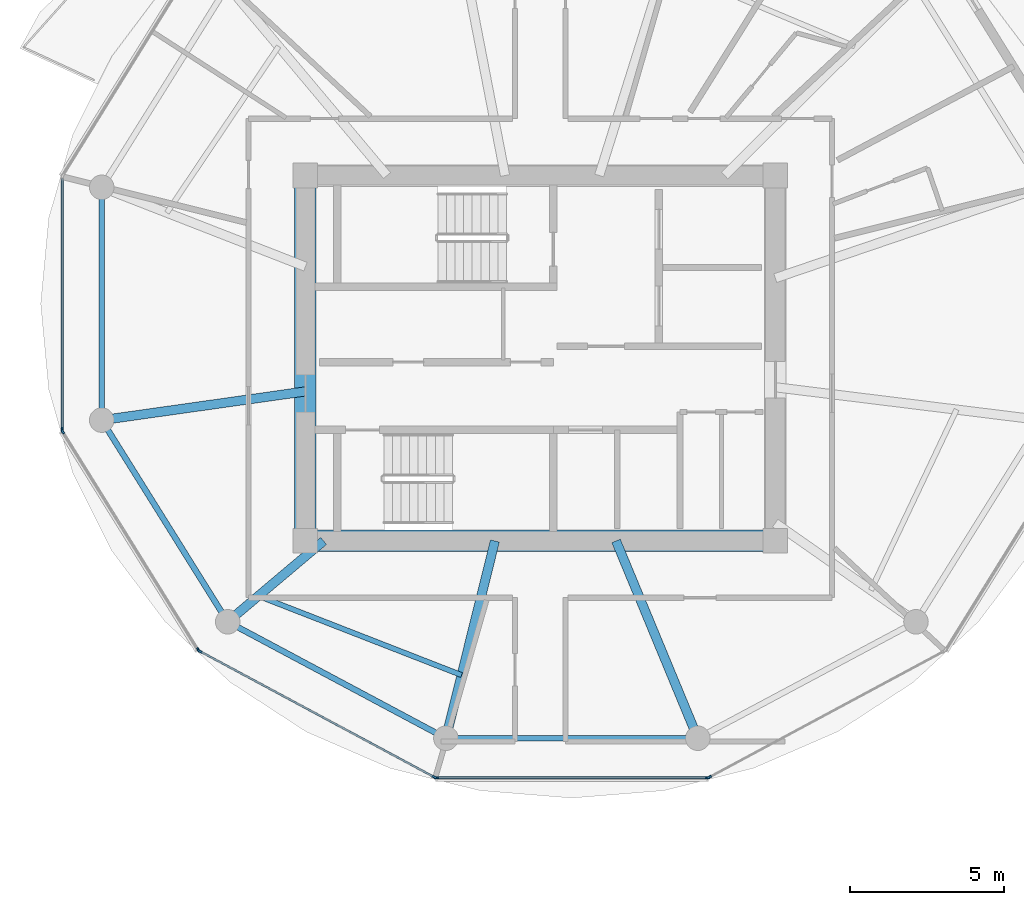
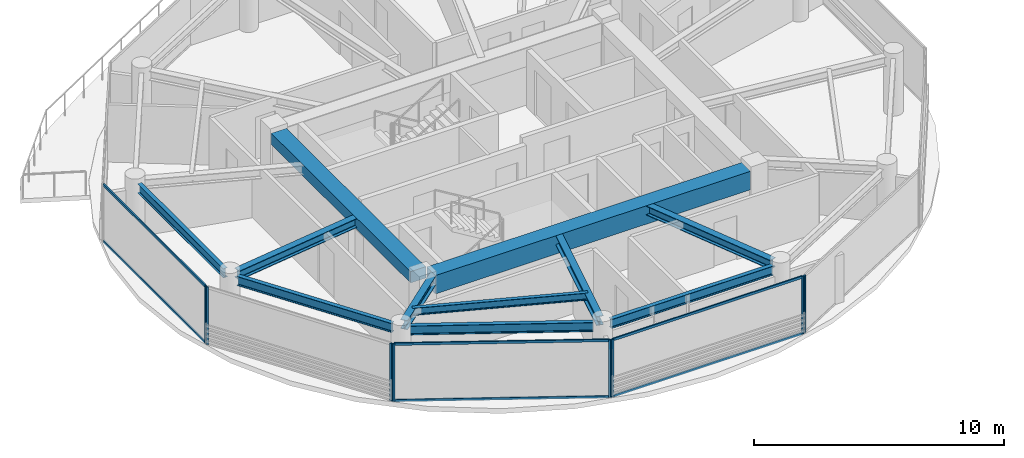
# One storey, part 2 of 21: 14 members, 11 beams, 5 elements without a shape of their own.
"""IFC4 building model written with IfcOpenShell, lengths in metres."""

from ifc_helpers import new_model, si_unit, direction, frame, origin, origin_2d, place, context, subcontext, project, spatial, rectangle, i_section, extrude, source, transform, mapped, material, layer, layer_set, material_profile, profile_set, type_object, type_shapes, element, aggregate, save


model = new_model("IFC4")

# Units and contexts
model_context = context("Model", 3, precision=1e-05, world=origin(), true_north=direction((0.0, 1.0)))
body_context = subcontext(model_context, "Body", "Model", "MODEL_VIEW")
ifc_project = project(units=[si_unit("LENGTHUNIT", "METRE"), si_unit("AREAUNIT", "SQUARE_METRE"), si_unit("VOLUMEUNIT", "CUBIC_METRE"), si_unit("PLANEANGLEUNIT", "RADIAN"), si_unit("MASSUNIT", "GRAM", prefix="KILO")], contexts=[model_context])

# Site, building, storey
site_placement = place(None, origin())
site = spatial("IfcSite", under=ifc_project, at=site_placement, CompositionType="ELEMENT")
building_placement = place(site_placement, origin())
building = spatial("IfcBuilding", under=site, at=building_placement, Name="Norrkilde Senior Care Towers", CompositionType="ELEMENT")
storey_placement = place(building_placement, frame((0.0, 0.0, 143.449951171875)))
storey = spatial("IfcBuildingStorey", under=building, at=storey_placement, Name="L44", CompositionType="ELEMENT", Elevation=143.449951171875)

# Beams
ifc_material_1 = material(Name="Concrete C60/75", Category="concrete")
ifc_material_profile_1 = material_profile(ifc_material_1, rectangle(XDim=0.699951171875, YDim=0.89990234375, at=origin_2d()), Name="RC BM 700x900")
ifc_profile_set_1 = profile_set([ifc_material_profile_1], Name="Concrete C60/75")
beam_type_1 = type_object("IfcBeamType", Name="Core Coupling Girder 700x900", PredefinedType="USERDEFINED", material=ifc_profile_set_1)
shared_shape_1 = source(origin(), body_context, "Body", "SweptSolid", [
    extrude(rectangle(XDim=0.699951171875, YDim=0.89990234375, at=origin_2d()), origin(), (0.0, 0.0, 1.0), 14.5400390625),
])
type_shapes(beam_type_1, [shared_shape_1])
beam_1_placement = place(storey_placement, frame((-35.27001953125, -5.949951171875, 2.360107421875), z_axis=(1.0, 0.0, 0.0), x_axis=(0.0, 1.0, 0.0)))
element("IfcBeam", 1, at=beam_1_placement, inside=storey, type_object=beam_type_1, Name="L44 Core W S Coupling Girder", ObjectType="GIRDER", PredefinedType="USERDEFINED", context=body_context, shape_type="MappedRepresentation", body=[
    mapped(shared_shape_1, transform((0.0, 0.0, 0.0), x_axis=(1.0, 0.0, 0.0), y_axis=(0.0, 1.0, 0.0), z_axis=(0.0, 0.0, 1.0), scale=1.0)),
])
ifc_material_profile_2 = material_profile(ifc_material_1, rectangle(XDim=0.699951171875, YDim=0.550048828125, at=origin_2d()), Name="RC BM 700x550")
ifc_profile_set_2 = profile_set([ifc_material_profile_2], Name="Concrete C60/75")
beam_type_2 = type_object("IfcBeamType", Name="Core Portal Coupling Beam 700x550", PredefinedType="USERDEFINED", material=ifc_profile_set_2)
shared_shape_2 = source(origin(), body_context, "Body", "SweptSolid", [
    extrude(rectangle(XDim=0.699951171875, YDim=0.550048828125, at=origin_2d()), origin(), (0.0, 0.0, 1.0), 11.14013671875),
])
type_shapes(beam_type_2, [shared_shape_2])
beam_2_placement = place(storey_placement, frame((-35.64990234375, -5.570068359375, 2.53515625), z_axis=(0.0, 1.0, 0.0), x_axis=(-1.0, 0.0, 0.0)))
element("IfcBeam", 2, at=beam_2_placement, inside=storey, type_object=beam_type_2, Name="L44 Core W W Coupling Girder", ObjectType="GIRDER", PredefinedType="USERDEFINED", context=body_context, shape_type="MappedRepresentation", body=[
    mapped(shared_shape_2, transform((0.0, 0.0, 0.0), x_axis=(1.0, 0.0, 0.0), y_axis=(0.0, 1.0, 0.0), z_axis=(0.0, 0.0, 1.0), scale=1.0)),
])
ifc_material_2 = material(Name="Steel S355", Category="steel")
ifc_material_profile_3 = material_profile(ifc_material_2, i_section(OverallWidth=0.18994140625, OverallDepth=0.449951171875, WebThickness=0.009521484375, FlangeThickness=0.0146484375, FilletRadius=0.02099609375, at=origin_2d()), Name="IPE 450")
ifc_profile_set_3 = profile_set([ifc_material_profile_3], Name="Steel S355")
beam_type_3 = type_object("IfcBeamType", Name="Perimeter Ring Spandrel Z3 IPE450", PredefinedType="SPANDREL", material=ifc_profile_set_3)
shared_shape_3 = source(origin(), body_context, "Body", "SweptSolid", [
    extrude(i_section(OverallWidth=0.18994140625, OverallDepth=0.449951171875, WebThickness=0.009521484375, FlangeThickness=0.0146484375, FilletRadius=0.02099609375, at=origin_2d()), origin(), (0.0, 0.0, 1.0), 7.484619140625),
])
beam_3_placement = place(storey_placement, frame((-30.71728515625, -12.37548828125, 2.5849609375), z_axis=(1.0, 0.0, 0.0), x_axis=(0.0, 1.0, 0.0)))
element("IfcBeam", 3, at=beam_3_placement, inside=storey, type_object=beam_type_3, Name="L44 Drum W Perimeter Spandrel 09", PredefinedType="SPANDREL", context=body_context, shape_type="MappedRepresentation", body=[
    mapped(shared_shape_3, transform((0.0, 0.0, 0.0), x_axis=(1.0, 0.0, 0.0), y_axis=(0.0, 1.0, 0.0), z_axis=(0.0, 0.0, 1.0), scale=1.0)),
])
shared_shape_4 = source(origin(), body_context, "Body", "SweptSolid", [
    extrude(i_section(OverallWidth=0.18994140625, OverallDepth=0.449951171875, WebThickness=0.009521484375, FlangeThickness=0.0146484375, FilletRadius=0.02099609375, at=origin_2d()), origin(), (0.0, 0.0, 1.0), 6.86328125),
])
beam_4_placement = place(storey_placement, frame((-42.284912109375, 5.20703125, 2.5849609375), z_axis=(0.0, -1.0, 0.0), x_axis=(1.0, 0.0, 0.0)))
element("IfcBeam", 4, at=beam_4_placement, inside=storey, type_object=beam_type_3, Name="L44 Drum W Perimeter Spandrel 06", PredefinedType="SPANDREL", context=body_context, shape_type="MappedRepresentation", body=[
    mapped(shared_shape_4, transform((0.0, 0.0, 0.0), x_axis=(1.0, 0.0, 0.0), y_axis=(0.0, 1.0, 0.0), z_axis=(0.0, 0.0, 1.0), scale=1.0)),
])
shared_shape_5 = source(origin(), body_context, "Body", "SweptSolid", [
    extrude(i_section(OverallWidth=0.18994140625, OverallDepth=0.449951171875, WebThickness=0.009521484375, FlangeThickness=0.0146484375, FilletRadius=0.02099609375, at=origin_2d()), origin(), (0.0, 0.0, 1.0), 7.023193359375),
])
beam_5_placement = place(storey_placement, frame((-42.09423828125, -2.32177734375, 2.5849609375), z_axis=(0.529805197269, -0.848119362441, 0.0), x_axis=(0.848119362441, 0.529805197269, 0.0)))
element("IfcBeam", 5, at=beam_5_placement, inside=storey, type_object=beam_type_3, Name="L44 Drum W Perimeter Spandrel 07", PredefinedType="SPANDREL", context=body_context, shape_type="MappedRepresentation", body=[
    mapped(shared_shape_5, transform((0.0, 0.0, 0.0), x_axis=(1.0, 0.0, 0.0), y_axis=(0.0, 1.0, 0.0), z_axis=(0.0, 0.0, 1.0), scale=1.0)),
])
ifc_material_profile_4 = material_profile(ifc_material_2, i_section(OverallWidth=0.300048828125, OverallDepth=0.449951171875, WebThickness=0.013916015625, FlangeThickness=0.02587890625, FilletRadius=0.027099609375, at=origin_2d()), Name="HEB 450")
ifc_profile_set_4 = profile_set([ifc_material_profile_4], Name="Steel S355")
beam_type_4 = type_object("IfcBeamType", Name="Radial Floor Beam Z3 HEB450", PredefinedType="BEAM", material=ifc_profile_set_4)
shared_shape_6 = source(origin(), body_context, "Body", "SweptSolid", [
    extrude(i_section(OverallWidth=0.300048828125, OverallDepth=0.449951171875, WebThickness=0.013916015625, FlangeThickness=0.02587890625, FilletRadius=0.027099609375, at=origin_2d()), origin(), (0.0, 0.0, 1.0), 6.3408203125),
])
beam_6_placement = place(storey_placement, frame((-35.64990234375, -1.079833984375, 2.5849609375), z_axis=(-0.990184519576, -0.139766294905, 0.0), x_axis=(0.139766294905, -0.990184519576, 0.0)))
element("IfcBeam", 6, at=beam_6_placement, inside=storey, type_object=beam_type_4, Name="L44 Drum W Radial Floor Beam 07", PredefinedType="BEAM", context=body_context, shape_type="MappedRepresentation", body=[
    mapped(shared_shape_6, transform((0.0, 0.0, 0.0), x_axis=(1.0, 0.0, 0.0), y_axis=(0.0, 1.0, 0.0), z_axis=(0.0, 0.0, 1.0), scale=1.0)),
])
shared_shape_7 = source(origin(), body_context, "Body", "SweptSolid", [
    extrude(i_section(OverallWidth=0.18994140625, OverallDepth=0.449951171875, WebThickness=0.009521484375, FlangeThickness=0.0146484375, FilletRadius=0.02099609375, at=origin_2d()), origin(), (0.0, 0.0, 1.0), 7.333984375),
])
type_shapes(beam_type_3, [shared_shape_3, shared_shape_4, shared_shape_5, shared_shape_7])
beam_7_placement = place(storey_placement, frame((-37.864990234375, -8.753173828125, 2.5849609375), z_axis=(0.882234038987, -0.470811109101, 0.0), x_axis=(0.470811109101, 0.882234038987, 0.0)))
element("IfcBeam", 7, at=beam_7_placement, inside=storey, type_object=beam_type_3, Name="L44 Drum W Perimeter Spandrel 08", PredefinedType="SPANDREL", context=body_context, shape_type="MappedRepresentation", body=[
    mapped(shared_shape_7, transform((0.0, 0.0, 0.0), x_axis=(1.0, 0.0, 0.0), y_axis=(0.0, 1.0, 0.0), z_axis=(0.0, 0.0, 1.0), scale=1.0)),
])
shared_shape_8 = source(origin(), body_context, "Body", "SweptSolid", [
    extrude(i_section(OverallWidth=0.300048828125, OverallDepth=0.449951171875, WebThickness=0.013916015625, FlangeThickness=0.02587890625, FilletRadius=0.027099609375, at=origin_2d()), origin(), (0.0, 0.0, 1.0), 3.7265625),
])
beam_8_placement = place(storey_placement, frame((-35.058349609375, -5.949951171875, 2.5849609375), z_axis=(-0.764567902106, -0.644543189453, 0.0), x_axis=(0.644543189453, -0.764567902106, 0.0)))
element("IfcBeam", 8, at=beam_8_placement, inside=storey, type_object=beam_type_4, Name="L44 Drum W Radial Floor Beam 08", PredefinedType="BEAM", context=body_context, shape_type="MappedRepresentation", body=[
    mapped(shared_shape_8, transform((0.0, 0.0, 0.0), x_axis=(1.0, 0.0, 0.0), y_axis=(0.0, 1.0, 0.0), z_axis=(0.0, 0.0, 1.0), scale=1.0)),
])
shared_shape_9 = source(origin(), body_context, "Body", "SweptSolid", [
    extrude(i_section(OverallWidth=0.300048828125, OverallDepth=0.449951171875, WebThickness=0.013916015625, FlangeThickness=0.02587890625, FilletRadius=0.027099609375, at=origin_2d()), origin(), (0.0, 0.0, 1.0), 6.26123046875),
])
beam_9_placement = place(storey_placement, frame((-29.4794921875, -5.949951171875, 2.5849609375), z_axis=(-0.241324375921, -0.970444509277, 0.0), x_axis=(0.970444509277, -0.241324375921, 0.0)))
element("IfcBeam", 9, at=beam_9_placement, inside=storey, type_object=beam_type_4, Name="L44 Drum W Radial Floor Beam 09", PredefinedType="BEAM", context=body_context, shape_type="MappedRepresentation", body=[
    mapped(shared_shape_9, transform((0.0, 0.0, 0.0), x_axis=(1.0, 0.0, 0.0), y_axis=(0.0, 1.0, 0.0), z_axis=(0.0, 0.0, 1.0), scale=1.0)),
])
shared_shape_10 = source(origin(), body_context, "Body", "SweptSolid", [
    extrude(i_section(OverallWidth=0.300048828125, OverallDepth=0.449951171875, WebThickness=0.013916015625, FlangeThickness=0.02587890625, FilletRadius=0.027099609375, at=origin_2d()), origin(), (0.0, 0.0, 1.0), 6.59521484375),
])
type_shapes(beam_type_4, [shared_shape_6, shared_shape_8, shared_shape_9, shared_shape_10])
beam_10_placement = place(storey_placement, frame((-25.534912109375, -5.949951171875, 2.5849609375), z_axis=(0.382761541363, -0.923847174836, 0.0), x_axis=(0.923847174836, 0.382761541363, 0.0)))
element("IfcBeam", 10, at=beam_10_placement, inside=storey, type_object=beam_type_4, Name="L44 Drum W Radial Floor Beam 10", PredefinedType="BEAM", context=body_context, shape_type="MappedRepresentation", body=[
    mapped(shared_shape_10, transform((0.0, 0.0, 0.0), x_axis=(1.0, 0.0, 0.0), y_axis=(0.0, 1.0, 0.0), z_axis=(0.0, 0.0, 1.0), scale=1.0)),
])
ifc_material_profile_5 = material_profile(ifc_material_2, i_section(OverallWidth=0.169921875, OverallDepth=0.360107421875, WebThickness=0.008056640625, FlangeThickness=0.0126953125, FilletRadius=0.01806640625, at=origin_2d()), Name="IPE 360")
ifc_profile_set_5 = profile_set([ifc_material_profile_5], Name="Steel S355")
beam_type_5 = type_object("IfcBeamType", Name="Secondary Floor Joist IPE360", PredefinedType="JOIST", material=ifc_profile_set_5)
shared_shape_11 = source(origin(), body_context, "Body", "SweptSolid", [
    extrude(i_section(OverallWidth=0.169921875, OverallDepth=0.360107421875, WebThickness=0.008056640625, FlangeThickness=0.0126953125, FilletRadius=0.01806640625, at=origin_2d()), origin(), (0.0, 0.0, 1.0), 7.1015625),
])
type_shapes(beam_type_5, [shared_shape_11])
beam_11_placement = place(storey_placement, frame((-37.182861328125, -7.740966796875, 2.630126953125), z_axis=(0.931761231292, -0.363071629106, 0.0), x_axis=(0.363071629106, 0.931761231292, 0.0)))
element("IfcBeam", 11, at=beam_11_placement, inside=storey, type_object=beam_type_5, Name="L44 Drum W Secondary Floor Joist 3", PredefinedType="JOIST", context=body_context, shape_type="MappedRepresentation", body=[
    mapped(shared_shape_11, transform((0.0, 0.0, 0.0), x_axis=(1.0, 0.0, 0.0), y_axis=(0.0, 1.0, 0.0), z_axis=(0.0, 0.0, 1.0), scale=1.0)),
])

# Curtain wall, member
ifc_material_3 = material(Name="Triple Low-E Insulated Glazing", Category="glass")
ifc_layer = layer(ifc_material_3, 0.18994140625)
ifc_layer_set = layer_set([ifc_layer], Name="Triple Low-E Insulated Glazing")
curtain_wall_type = type_object("IfcCurtainWallType", Name="CW4 Zone 3 Senior Residence Curtain Wall", PredefinedType="NOTDEFINED", material=ifc_layer_set)
curtain_wall_1_placement = place(storey_placement, origin())
curtain_wall_1 = element("IfcCurtainWall", 12, at=curtain_wall_1_placement, inside=storey, type_object=curtain_wall_type, Name="L44 Drum W Curtain Wall 05", PredefinedType="NOTDEFINED")
ifc_material_4 = material(Name="Anodised Aluminium", Category="aluminium")
ifc_material_profile_6 = material_profile(ifc_material_4, rectangle(XDim=0.06494140625, YDim=0.14990234375, at=origin_2d()), Name="ALU MULL 65x150")
ifc_profile_set_6 = profile_set([ifc_material_profile_6], Name="Anodised Aluminium")
member_type_1 = type_object("IfcMemberType", Name="Curtain Wall Mullion Z3-Z4 65x150", PredefinedType="MULLION", material=ifc_profile_set_6)
shared_shape_12 = source(origin(), body_context, "Body", "SweptSolid", [
    extrude(rectangle(XDim=0.06494140625, YDim=0.14990234375, at=origin_2d()), origin(), (0.0, 0.0, 1.0), 2.81005859375),
])
type_shapes(member_type_1, [shared_shape_12])
member_1_placement = place(storey_placement, frame((-43.569580078125, -2.328125, 0.0), z_axis=(0.0, 0.0, 1.0), x_axis=(-1.0, 0.0, 0.0)))
member_1 = element("IfcMember", 13, at=member_1_placement, type_object=member_type_1, Name="CW-4 mullion 1", PredefinedType="MULLION", context=body_context, shape_type="MappedRepresentation", body=[
    mapped(shared_shape_12, transform((0.0, 0.0, 0.0), x_axis=(1.0, 0.0, 0.0), y_axis=(0.0, 1.0, 0.0), z_axis=(0.0, 0.0, 1.0), scale=1.0)),
])

# Curtain wall, members
curtain_wall_2_placement = place(storey_placement, origin())
curtain_wall_2 = element("IfcCurtainWall", 14, at=curtain_wall_2_placement, inside=storey, type_object=curtain_wall_type, Name="L44 Drum W Curtain Wall 06", PredefinedType="NOTDEFINED")
member_2_placement = place(storey_placement, frame((-39.14013671875, -9.49658203125, 0.0), z_axis=(0.0, 0.0, 1.0), x_axis=(-0.84963405474, -0.52737270789, 0.0)))
member_2 = element("IfcMember", 15, at=member_2_placement, type_object=member_type_1, Name="CW-4 mullion 1", PredefinedType="MULLION", context=body_context, shape_type="MappedRepresentation", body=[
    mapped(shared_shape_12, transform((0.0, 0.0, 0.0), x_axis=(1.0, 0.0, 0.0), y_axis=(0.0, 1.0, 0.0), z_axis=(0.0, 0.0, 1.0), scale=1.0)),
])
member_3_placement = place(storey_placement, frame((-43.552490234375, -2.38818359375, 0.0), z_axis=(0.0, 0.0, 1.0), x_axis=(-0.84963405474, -0.52737270789, 0.0)))
member_3 = element("IfcMember", 16, at=member_3_placement, type_object=member_type_1, Name="CW-4 mullion 2", PredefinedType="MULLION", context=body_context, shape_type="MappedRepresentation", body=[
    mapped(shared_shape_12, transform((0.0, 0.0, 0.0), x_axis=(1.0, 0.0, 0.0), y_axis=(0.0, 1.0, 0.0), z_axis=(0.0, 0.0, 1.0), scale=1.0)),
])
aggregate(curtain_wall_2, [member_2, member_3])

curtain_wall_3_placement = place(storey_placement, origin())
curtain_wall_3 = element("IfcCurtainWall", 17, at=curtain_wall_3_placement, inside=storey, type_object=curtain_wall_type, Name="L44 Drum W Curtain Wall 07", PredefinedType="NOTDEFINED")
member_4_placement = place(storey_placement, frame((-31.4501953125, -13.644775390625, 0.0), z_axis=(0.0, 0.0, 1.0), x_axis=(-0.47311715104, -0.880999524059, 0.0)))
member_4 = element("IfcMember", 18, at=member_4_placement, type_object=member_type_1, Name="CW-4 mullion 1", PredefinedType="MULLION", context=body_context, shape_type="MappedRepresentation", body=[
    mapped(shared_shape_12, transform((0.0, 0.0, 0.0), x_axis=(1.0, 0.0, 0.0), y_axis=(0.0, 1.0, 0.0), z_axis=(0.0, 0.0, 1.0), scale=1.0)),
])
member_5_placement = place(storey_placement, frame((-39.094482421875, -9.53955078125, 0.0), z_axis=(0.0, 0.0, 1.0), x_axis=(-0.47311715104, -0.880999524059, 0.0)))
member_5 = element("IfcMember", 19, at=member_5_placement, type_object=member_type_1, Name="CW-4 mullion 2", PredefinedType="MULLION", context=body_context, shape_type="MappedRepresentation", body=[
    mapped(shared_shape_12, transform((0.0, 0.0, 0.0), x_axis=(1.0, 0.0, 0.0), y_axis=(0.0, 1.0, 0.0), z_axis=(0.0, 0.0, 1.0), scale=1.0)),
])

curtain_wall_4_placement = place(storey_placement, origin())
curtain_wall_4 = element("IfcCurtainWall", 20, at=curtain_wall_4_placement, inside=storey, type_object=curtain_wall_type, Name="L44 Drum W Curtain Wall 08", PredefinedType="NOTDEFINED")
member_6_placement = place(storey_placement, frame((-22.56103515625, -13.66015625, 0.0), z_axis=(0.0, 0.0, 1.0), x_axis=(0.0, -1.0, 0.0)))
member_6 = element("IfcMember", 21, at=member_6_placement, type_object=member_type_1, Name="CW-4 mullion 1", PredefinedType="MULLION", context=body_context, shape_type="MappedRepresentation", body=[
    mapped(shared_shape_12, transform((0.0, 0.0, 0.0), x_axis=(1.0, 0.0, 0.0), y_axis=(0.0, 1.0, 0.0), z_axis=(0.0, 0.0, 1.0), scale=1.0)),
])
member_7_placement = place(storey_placement, frame((-31.388916015625, -13.66015625, 0.0), z_axis=(0.0, 0.0, 1.0), x_axis=(0.0, -1.0, 0.0)))
member_7 = element("IfcMember", 22, at=member_7_placement, type_object=member_type_1, Name="CW-4 mullion 2", PredefinedType="MULLION", context=body_context, shape_type="MappedRepresentation", body=[
    mapped(shared_shape_12, transform((0.0, 0.0, 0.0), x_axis=(1.0, 0.0, 0.0), y_axis=(0.0, 1.0, 0.0), z_axis=(0.0, 0.0, 1.0), scale=1.0)),
])

# Curtain wall, member
curtain_wall_5_placement = place(storey_placement, origin())
curtain_wall_5 = element("IfcCurtainWall", 23, at=curtain_wall_5_placement, inside=storey, type_object=curtain_wall_type, Name="L44 Drum W Curtain Wall 09", PredefinedType="NOTDEFINED")
member_8_placement = place(storey_placement, frame((-22.499755859375, -13.644775390625, 0.0), z_axis=(0.0, 0.0, 1.0), x_axis=(0.47311715104, -0.880999524059, 0.0)))
member_8 = element("IfcMember", 24, at=member_8_placement, type_object=member_type_1, Name="CW-4 mullion 2", PredefinedType="MULLION", context=body_context, shape_type="MappedRepresentation", body=[
    mapped(shared_shape_12, transform((0.0, 0.0, 0.0), x_axis=(1.0, 0.0, 0.0), y_axis=(0.0, 1.0, 0.0), z_axis=(0.0, 0.0, 1.0), scale=1.0)),
])
aggregate(curtain_wall_5, [member_8])

# Member
ifc_material_profile_7 = material_profile(ifc_material_4, rectangle(XDim=0.06005859375, YDim=0.1201171875, at=origin_2d()), Name="ALU TRAN 60x120")
ifc_profile_set_7 = profile_set([ifc_material_profile_7], Name="Anodised Aluminium")
member_type_2 = type_object("IfcMemberType", Name="Curtain Wall Transom Typical 60x120", PredefinedType="USERDEFINED", material=ifc_profile_set_7)
shared_shape_13 = source(origin(), body_context, "Body", "SweptSolid", [
    extrude(rectangle(XDim=0.06005859375, YDim=0.1201171875, at=origin_2d()), origin(), (0.0, 0.0, 1.0), 8.762939453125),
])
member_9_placement = place(storey_placement, frame((-22.593505859375, -13.66015625, 0.030029296875), z_axis=(-1.0, 0.0, 0.0), x_axis=(0.0, -1.0, 0.0)))
member_9 = element("IfcMember", 25, at=member_9_placement, type_object=member_type_2, Name="CW-4 transom 1.1", ObjectType="TRANSOM", PredefinedType="USERDEFINED", context=body_context, shape_type="MappedRepresentation", body=[
    mapped(shared_shape_13, transform((0.0, 0.0, 0.0), x_axis=(1.0, 0.0, 0.0), y_axis=(0.0, 1.0, 0.0), z_axis=(0.0, 0.0, 1.0), scale=1.0)),
])

member_10_placement = place(storey_placement, frame((-22.593505859375, -13.66015625, 2.780029296875), z_axis=(-1.0, 0.0, 0.0), x_axis=(0.0, -1.0, 0.0)))
member_10 = element("IfcMember", 26, at=member_10_placement, type_object=member_type_2, Name="CW-4 transom 1.2", ObjectType="TRANSOM", PredefinedType="USERDEFINED", context=body_context, shape_type="MappedRepresentation", body=[
    mapped(shared_shape_13, transform((0.0, 0.0, 0.0), x_axis=(1.0, 0.0, 0.0), y_axis=(0.0, 1.0, 0.0), z_axis=(0.0, 0.0, 1.0), scale=1.0)),
])

aggregate(curtain_wall_4, [member_6, member_7, member_9, member_10])

shared_shape_14 = source(origin(), body_context, "Body", "SweptSolid", [
    extrude(rectangle(XDim=0.06005859375, YDim=0.1201171875, at=origin_2d()), origin(), (0.0, 0.0, 1.0), 8.612060546875),
])
member_11_placement = place(storey_placement, frame((-31.478759765625, -13.62939453125, 0.030029296875), z_axis=(-0.881000337462, 0.473115636384, 0.0), x_axis=(-0.473115636384, -0.881000337462, 0.0)))
member_11 = element("IfcMember", 27, at=member_11_placement, type_object=member_type_2, Name="CW-4 transom 1.1", ObjectType="TRANSOM", PredefinedType="USERDEFINED", context=body_context, shape_type="MappedRepresentation", body=[
    mapped(shared_shape_14, transform((0.0, 0.0, 0.0), x_axis=(1.0, 0.0, 0.0), y_axis=(0.0, 1.0, 0.0), z_axis=(0.0, 0.0, 1.0), scale=1.0)),
])

member_12_placement = place(storey_placement, frame((-31.478759765625, -13.62939453125, 2.780029296875), z_axis=(-0.881000337462, 0.473115636384, 0.0), x_axis=(-0.473115636384, -0.881000337462, 0.0)))
member_12 = element("IfcMember", 28, at=member_12_placement, type_object=member_type_2, Name="CW-4 transom 1.2", ObjectType="TRANSOM", PredefinedType="USERDEFINED", context=body_context, shape_type="MappedRepresentation", body=[
    mapped(shared_shape_14, transform((0.0, 0.0, 0.0), x_axis=(1.0, 0.0, 0.0), y_axis=(0.0, 1.0, 0.0), z_axis=(0.0, 0.0, 1.0), scale=1.0)),
])

aggregate(curtain_wall_3, [member_4, member_5, member_11, member_12])

shared_shape_15 = source(origin(), body_context, "Body", "SweptSolid", [
    extrude(rectangle(XDim=0.06005859375, YDim=0.1201171875, at=origin_2d()), origin(), (0.0, 0.0, 1.0), 8.141845703125),
])
type_shapes(member_type_2, [shared_shape_13, shared_shape_14, shared_shape_15])
member_13_placement = place(storey_placement, frame((-43.569580078125, -2.295654296875, 0.030029296875), z_axis=(0.0, 1.0, 0.0), x_axis=(-1.0, 0.0, 0.0)))
member_13 = element("IfcMember", 29, at=member_13_placement, type_object=member_type_2, Name="CW-4 transom 1.1", ObjectType="TRANSOM", PredefinedType="USERDEFINED", context=body_context, shape_type="MappedRepresentation", body=[
    mapped(shared_shape_15, transform((0.0, 0.0, 0.0), x_axis=(1.0, 0.0, 0.0), y_axis=(0.0, 1.0, 0.0), z_axis=(0.0, 0.0, 1.0), scale=1.0)),
])

member_14_placement = place(storey_placement, frame((-43.569580078125, -2.295654296875, 2.780029296875), z_axis=(0.0, 1.0, 0.0), x_axis=(-1.0, 0.0, 0.0)))
member_14 = element("IfcMember", 30, at=member_14_placement, type_object=member_type_2, Name="CW-4 transom 1.2", ObjectType="TRANSOM", PredefinedType="USERDEFINED", context=body_context, shape_type="MappedRepresentation", body=[
    mapped(shared_shape_15, transform((0.0, 0.0, 0.0), x_axis=(1.0, 0.0, 0.0), y_axis=(0.0, 1.0, 0.0), z_axis=(0.0, 0.0, 1.0), scale=1.0)),
])

aggregate(curtain_wall_1, [member_1, member_13, member_14])

save(model, "model.ifc")
